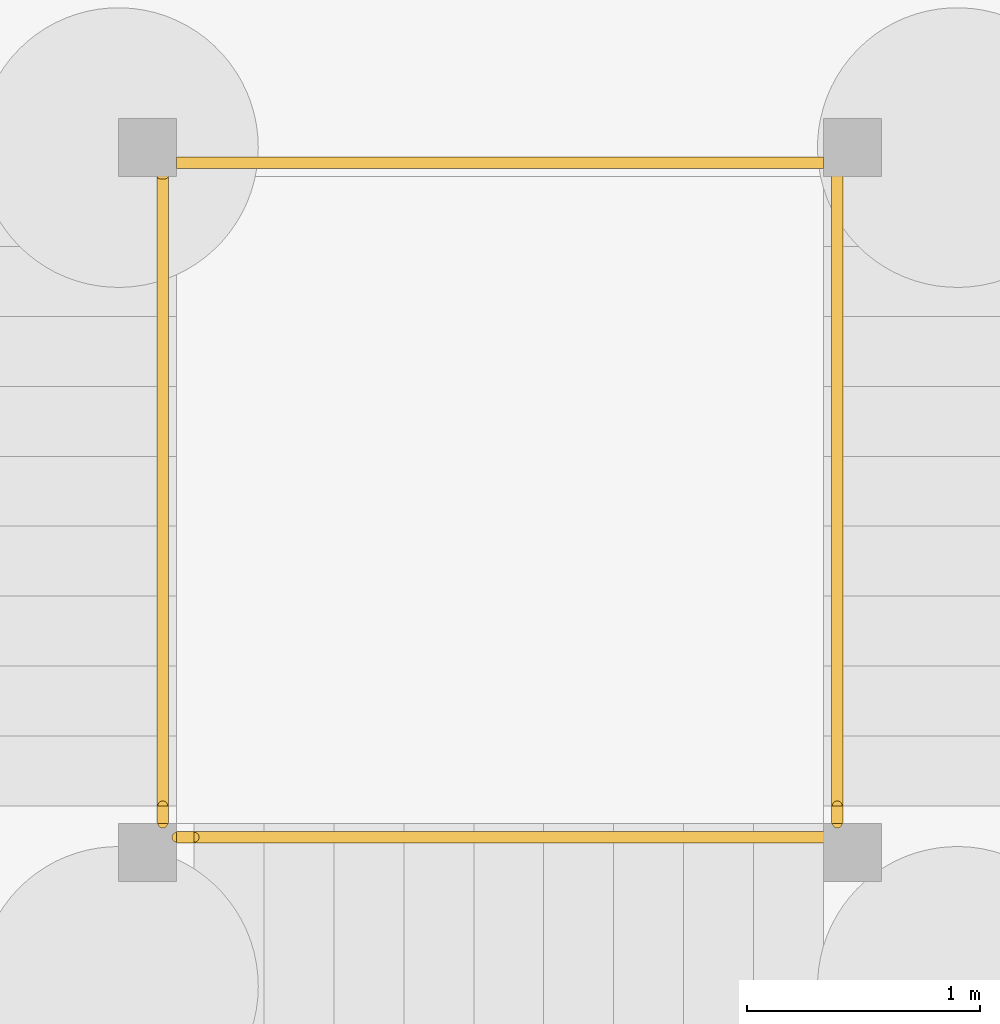
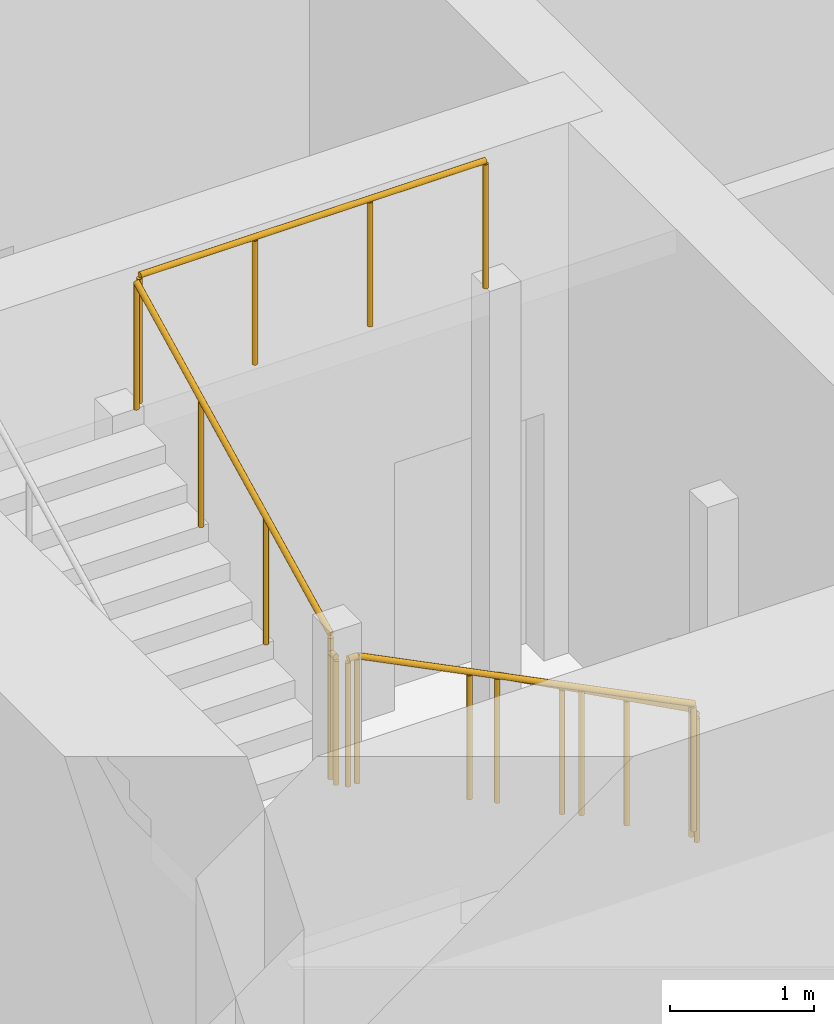
# One storey, part 13 of 28: 7 railings.
"""IFC4 building model written with IfcOpenShell, lengths in metres."""

import ifcopenshell
import ifcopenshell.guid

model = None  # the IFC model being written
_history = None  # IfcOwnerHistory: only IFC2X3 demands one
_inside = {}  # id of a spatial element -> (the spatial element, [elements in it])
_under = {}  # id of a project, library or spatial element -> (it, [spatial elements below it])
_declared = {}  # id of a project -> (the project, [libraries it declares])
_typed = {}  # id of a type object -> (the type object, [elements of that type])
_made_of = {}  # id of a material, layer set ... -> (it, [elements and type objects made of it])


def new_model(schema):
    """Start an empty IFC model of exactly this schema.

    Asked for "IFC4X3", IfcOpenShell would pick the latest addendum, in which some entities
    have other attributes; the version numbers below select the first issue.
    IFC2X3 requires an IfcOwnerHistory on every rooted entity: one is made here for all.
    """
    global model, _history
    if schema == "IFC4X3":
        model = ifcopenshell.file(schema_version=(4, 3, 0, 0))
    else:
        model = ifcopenshell.file(schema=schema)
    _inside.clear()
    _under.clear()
    _declared.clear()
    _typed.clear()
    _made_of.clear()
    _history = None
    if model.schema == "IFC2X3":
        org = make("IfcOrganization", Name="unknown")
        user = make(
            "IfcPersonAndOrganization",
            ThePerson=make("IfcPerson", FamilyName="unknown"),
            TheOrganization=org,
        )
        app = make(
            "IfcApplication",
            ApplicationDeveloper=org,
            Version="unknown",
            ApplicationFullName="unknown",
            ApplicationIdentifier="unknown",
        )
        _history = make(
            "IfcOwnerHistory",
            OwningUser=user,
            OwningApplication=app,
            ChangeAction="ADDED",
            CreationDate=0,
        )
    return model


def make(cls, **values):
    """One entity of the class cls with the attributes given. An attribute that is None is left unset."""
    return model.create_entity(
        cls, **{name: value for name, value in values.items() if value is not None}
    )


def rooted(cls, **values):
    """An entity with a GlobalId (a new one), such as an element, a storey or a relation."""
    return make(cls, GlobalId=ifcopenshell.guid.new(), OwnerHistory=_history, **values)


def si_unit(unit_type, name, prefix=None):
    """IfcSIUnit, for example si_unit("LENGTHUNIT", "METRE", prefix="MILLI")."""
    return make("IfcSIUnit", UnitType=unit_type, Prefix=prefix, Name=name)


def assignment(units):
    """IfcUnitAssignment: the units of a project."""
    return None if units is None else make("IfcUnitAssignment", Units=units)


def point(xyz):
    """IfcCartesianPoint."""
    return None if xyz is None else make("IfcCartesianPoint", Coordinates=xyz)


def direction(xyz):
    """IfcDirection."""
    return None if xyz is None else make("IfcDirection", DirectionRatios=xyz)


def frame(location, z_axis=None, x_axis=None):
    """IfcAxis2Placement3D, a coordinate frame: its origin and axes. An axis left out is left unset."""
    return make(
        "IfcAxis2Placement3D",
        Location=point(location),
        Axis=direction(z_axis),
        RefDirection=direction(x_axis),
    )


def frame_2d(location, x_axis=None):
    """IfcAxis2Placement2D, a coordinate frame in the plane: its origin and x axis."""
    return make(
        "IfcAxis2Placement2D", Location=point(location), RefDirection=direction(x_axis)
    )


def origin():
    """The frame at (0, 0, 0) with its axes left unset."""
    return frame((0.0, 0.0, 0.0))


def origin_2d():
    """The frame at (0, 0) in the plane with its x axis left unset."""
    return frame_2d((0.0, 0.0))


def place(relative_to, where):
    """IfcLocalPlacement: puts the frame where relative to a parent placement (None: the world)."""
    return make(
        "IfcLocalPlacement", PlacementRelTo=relative_to, RelativePlacement=where
    )


def context(
    kind, dimensions, precision=None, world=None, true_north=None, identifier=None
):
    """IfcGeometricRepresentationContext, for example the 3D "Model" context."""
    return make(
        "IfcGeometricRepresentationContext",
        ContextIdentifier=identifier,
        ContextType=kind,
        CoordinateSpaceDimension=dimensions,
        Precision=precision,
        WorldCoordinateSystem=world,
        TrueNorth=true_north,
    )


def subcontext(parent, identifier, kind, view, scale=None):
    """IfcGeometricRepresentationSubContext, for example "Body" below "Model"."""
    return make(
        "IfcGeometricRepresentationSubContext",
        ContextIdentifier=identifier,
        ContextType=kind,
        ParentContext=parent,
        TargetScale=scale,
        TargetView=view,
    )


def project(units=None, contexts=None):
    """IfcProject with its units and contexts."""
    return rooted(
        "IfcProject",
        Name="project",
        RepresentationContexts=contexts,
        UnitsInContext=assignment(units),
    )


def spatial(cls, under=None, at=None, **own):
    """A site, building, storey or space (cls), placed at a placement, below another one or the project."""
    s = rooted(cls, ObjectPlacement=at, **own)
    if under is not None:
        _under.setdefault(under.id(), (under, []))[1].append(s)
    return s


def profile(cls, at=None, kind="AREA", **sizes):
    """A parametric profile (cls). Its sizes go by their IFC names, for example OverallWidth=200.0."""
    return make(cls, ProfileType=kind, Position=at, **sizes)


def circle(**sizes):
    """IfcCircleProfileDef."""
    return profile("IfcCircleProfileDef", **sizes)


def extrude(swept, where, along, depth):
    """IfcExtrudedAreaSolid: the profile swept, set in the frame where, extruded along a direction by depth."""
    return make(
        "IfcExtrudedAreaSolid",
        SweptArea=swept,
        Position=where,
        ExtrudedDirection=direction(along),
        Depth=depth,
    )


def shape(context_of_items, identifier, shape_type, items):
    """IfcShapeRepresentation: the items that make up one representation, for example the "Body"."""
    return make(
        "IfcShapeRepresentation",
        ContextOfItems=context_of_items,
        RepresentationIdentifier=identifier,
        RepresentationType=shape_type,
        Items=items,
    )


def material(Name=None, Category=None):
    """IfcMaterial."""
    return make("IfcMaterial", Name=Name, Category=Category)


def made_of(thing, what):
    """Note that an element or type object is made of a material, layer set ...; save() writes the relation."""
    if what is not None:
        _made_of.setdefault(what.id(), (what, []))[1].append(thing)
    return thing


def type_object(cls, material=None, **own):
    """A type object (cls), such as IfcWallType, which elements share."""
    return made_of(rooted(cls, **own), material)


def element(
    cls,
    number,
    at=None,
    inside=None,
    cuts=None,
    type_object=None,
    material=None,
    context=None,
    identifier="Body",
    shape_type=None,
    held_by="IfcProductDefinitionShape",
    body=None,
    shapes=None,
    **own,
):
    """One element of the class cls, such as IfcWall. Its Tag is "e" and its number.

    at: its placement. inside: the storey or other place that contains it. cuts: it is an
    opening in that element (IfcRelVoidsElement). A single representation is given by context,
    identifier, shape_type and body (its items); several are given by shapes. held_by: the class
    of the entity that holds the representations. save() writes the other relations.
    """
    e = rooted(cls, Tag="e%d" % number, ObjectPlacement=at, **own)
    if body is not None:
        shapes = [shape(context, identifier, shape_type, body)]
    if shapes is not None:
        e.Representation = make(held_by, Representations=shapes)
    if inside is not None:
        _inside.setdefault(inside.id(), (inside, []))[1].append(e)
    if cuts is not None:
        rooted(
            "IfcRelVoidsElement", RelatingBuildingElement=cuts, RelatedOpeningElement=e
        )
    if type_object is not None:
        _typed.setdefault(type_object.id(), (type_object, []))[1].append(e)
    return made_of(e, material)


def aggregate(whole, parts):
    """IfcRelAggregates: a whole, such as a stair, and the parts it consists of."""
    return rooted("IfcRelAggregates", RelatingObject=whole, RelatedObjects=parts)


def save(model, path):
    """Write the relations noted so far, then the file.

    IfcRelAggregates (storeys below a building ...), IfcRelContainedInSpatialStructure (elements
    in a storey), IfcRelDefinesByType, IfcRelAssociatesMaterial and IfcRelDeclares: one each for
    every whole, place, type object, material and project.
    """
    for whole, parts in _under.values():
        aggregate(whole, parts)
    for where, things in _inside.values():
        rooted(
            "IfcRelContainedInSpatialStructure",
            RelatedElements=things,
            RelatingStructure=where,
        )
    for kind, things in _typed.values():
        rooted("IfcRelDefinesByType", RelatedObjects=things, RelatingType=kind)
    for what, things in _made_of.values():
        rooted("IfcRelAssociatesMaterial", RelatedObjects=things, RelatingMaterial=what)
    for by, libraries in _declared.values():
        rooted("IfcRelDeclares", RelatingContext=by, RelatedDefinitions=libraries)
    model.write(path)


model = new_model("IFC4")

# Units and contexts
model_context = context("Model", 3, precision=1e-05, world=origin(), true_north=direction((0.0, 1.0)))
body_context = subcontext(model_context, "Body", "Model", "MODEL_VIEW")
ifc_project = project(units=[si_unit("LENGTHUNIT", "METRE"), si_unit("AREAUNIT", "SQUARE_METRE"), si_unit("VOLUMEUNIT", "CUBIC_METRE"), si_unit("PLANEANGLEUNIT", "RADIAN"), si_unit("MASSUNIT", "GRAM", prefix="KILO")], contexts=[model_context])

# Site, building, storey
site_placement = place(None, origin())
site = spatial("IfcSite", under=ifc_project, at=site_placement, CompositionType="ELEMENT")
building_placement = place(site_placement, origin())
building = spatial("IfcBuilding", under=site, at=building_placement, Name="Rekha Terrace Tower", CompositionType="ELEMENT")
storey_placement = place(building_placement, frame((0.0, 0.0, -9.89990234375)))
storey = spatial("IfcBuildingStorey", under=building, at=storey_placement, Name="B-02", CompositionType="ELEMENT", Elevation=-9.89990234375)

# Railings
ifc_material = material(Name="Stainless steel balustrade", Category="steel")
railing_type = type_object("IfcRailingType", Name="GR1 1100 stair guard", PredefinedType="GUARDRAIL", material=ifc_material)
railing_1_placement = place(storey_placement, frame((30.0849609375, 25.824951171875, 0.14990234375)))
element("IfcRailing", 1, at=railing_1_placement, inside=storey, type_object=railing_type, Name="Guard ST1 B-02 flight 1", PredefinedType="GUARDRAIL", context=body_context, shape_type="SweptSolid", body=[
    extrude(circle(Radius=0.02392578125, at=origin_2d()), frame((0.0, 0.0, 1.076171875), z_axis=(0.0, -0.894411015155, 0.447245945728), x_axis=(1.0, 0.0, 0.0)), (0.0, 0.0, 1.0), 3.018798828125),
    extrude(circle(Radius=0.02099609375, at=origin_2d()), origin(), (0.0, 0.0, 1.0), 1.052001953125),
    extrude(circle(Radius=0.02099609375, at=origin_2d()), frame((0.0, -0.89990234375, 0.449951171875)), (0.0, 0.0, 1.0), 1.052001953125),
    extrude(circle(Radius=0.02099609375, at=origin_2d()), frame((0.0, -1.800048828125, 0.900146484375)), (0.0, 0.0, 1.0), 1.052001953125),
    extrude(circle(Radius=0.02099609375, at=origin_2d()), frame((0.0, -2.699951171875, 1.35009765625)), (0.0, 0.0, 1.0), 1.052001953125),
])
railing_2_placement = place(storey_placement, frame((30.02490234375, 22.989990234375, 1.64990234375)))
element("IfcRailing", 2, at=railing_2_placement, inside=storey, type_object=railing_type, Name="Guard ST1 B-02 flight 2", PredefinedType="GUARDRAIL", context=body_context, shape_type="SweptSolid", body=[
    extrude(circle(Radius=0.02392578125, at=origin_2d()), frame((0.0, 0.0, 1.076171875), z_axis=(-0.894411015155, 0.0, 0.447245945728), x_axis=(0.0, -1.0, 0.0)), (0.0, 0.0, 1.0), 3.018798828125),
    extrude(circle(Radius=0.02099609375, at=origin_2d()), origin(), (0.0, 0.0, 1.0), 1.052001953125),
    extrude(circle(Radius=0.02099609375, at=origin_2d()), frame((-0.89990234375, 0.0, 0.449951171875)), (0.0, 0.0, 1.0), 1.052001953125),
    extrude(circle(Radius=0.02099609375, at=origin_2d()), frame((-1.800048828125, 0.0, 0.900146484375)), (0.0, 0.0, 1.0), 1.052001953125),
    extrude(circle(Radius=0.02099609375, at=origin_2d()), frame((-2.699951171875, 0.0, 1.35009765625)), (0.0, 0.0, 1.0), 1.052001953125),
])
railing_3_placement = place(storey_placement, frame((27.18994140625, 23.125, 3.14990234375)))
element("IfcRailing", 3, at=railing_3_placement, inside=storey, type_object=railing_type, Name="Guard ST1 B-02 flight 3", PredefinedType="GUARDRAIL", context=body_context, shape_type="SweptSolid", body=[
    extrude(circle(Radius=0.02392578125, at=origin_2d()), frame((0.0, 0.0, 1.076171875), z_axis=(0.0, 0.894411015155, 0.447245945728), x_axis=(-1.0, 0.0, 0.0)), (0.0, 0.0, 1.0), 3.018798828125),
    extrude(circle(Radius=0.02099609375, at=origin_2d()), origin(), (0.0, 0.0, 1.0), 1.052001953125),
    extrude(circle(Radius=0.02099609375, at=origin_2d()), frame((0.0, 0.89990234375, 0.449951171875)), (0.0, 0.0, 1.0), 1.052001953125),
    extrude(circle(Radius=0.02099609375, at=origin_2d()), frame((0.0, 1.800048828125, 0.900146484375)), (0.0, 0.0, 1.0), 1.052001953125),
    extrude(circle(Radius=0.02099609375, at=origin_2d()), frame((0.0, 2.699951171875, 1.35009765625)), (0.0, 0.0, 1.0), 1.052001953125),
])
railing_4_placement = place(storey_placement, frame((30.0849609375, 23.125, 1.5)))
element("IfcRailing", 4, at=railing_4_placement, inside=storey, type_object=railing_type, Name="Guard ST1 B-02 landing 1", PredefinedType="GUARDRAIL", context=body_context, shape_type="SweptSolid", body=[
    extrude(circle(Radius=0.02392578125, at=origin_2d()), frame((0.0, 0.0, 1.076171875), z_axis=(0.0, -1.0, 0.0), x_axis=(1.0, 0.0, 0.0)), (0.0, 0.0, 1.0), 0.074951171875),
    extrude(circle(Radius=0.02099609375, at=origin_2d()), origin(), (0.0, 0.0, 1.0), 1.052001953125),
    extrude(circle(Radius=0.02099609375, at=origin_2d()), frame((0.0, -0.074951171875, 0.0)), (0.0, 0.0, 1.0), 1.052001953125),
])
railing_5_placement = place(storey_placement, frame((27.324951171875, 22.989990234375, 3.0)))
element("IfcRailing", 5, at=railing_5_placement, inside=storey, type_object=railing_type, Name="Guard ST1 B-02 landing 2", PredefinedType="GUARDRAIL", context=body_context, shape_type="SweptSolid", body=[
    extrude(circle(Radius=0.02392578125, at=origin_2d()), frame((0.0, 0.0, 1.076171875), z_axis=(-1.0, 0.0, 0.0), x_axis=(0.0, -1.0, 0.0)), (0.0, 0.0, 1.0), 0.074951171875),
    extrude(circle(Radius=0.02099609375, at=origin_2d()), origin(), (0.0, 0.0, 1.0), 1.052001953125),
    extrude(circle(Radius=0.02099609375, at=origin_2d()), frame((-0.074951171875, 0.0, 0.0)), (0.0, 0.0, 1.0), 1.052001953125),
])
railing_6_placement = place(storey_placement, frame((27.18994140625, 23.125, 3.0)))
element("IfcRailing", 6, at=railing_6_placement, inside=storey, type_object=railing_type, Name="Guard ST1 B-02 landing 3", PredefinedType="GUARDRAIL", context=body_context, shape_type="SweptSolid", body=[
    extrude(circle(Radius=0.02392578125, at=origin_2d()), frame((0.0, 0.0, 1.076171875), z_axis=(0.0, -1.0, 0.0), x_axis=(1.0, 0.0, 0.0)), (0.0, 0.0, 1.0), 0.074951171875),
    extrude(circle(Radius=0.02099609375, at=origin_2d()), origin(), (0.0, 0.0, 1.0), 1.052001953125),
    extrude(circle(Radius=0.02099609375, at=origin_2d()), frame((0.0, -0.074951171875, 0.0)), (0.0, 0.0, 1.0), 1.052001953125),
])
railing_7_placement = place(storey_placement, frame((30.02490234375, 25.885009765625, 4.5)))
element("IfcRailing", 7, at=railing_7_placement, inside=storey, type_object=railing_type, Name="Guard ST1 B-02 landing 4", PredefinedType="GUARDRAIL", context=body_context, shape_type="SweptSolid", body=[
    extrude(circle(Radius=0.02392578125, at=origin_2d()), frame((0.0, 0.0, 1.076171875), z_axis=(-1.0, 0.0, 0.0), x_axis=(0.0, -1.0, 0.0)), (0.0, 0.0, 1.0), 2.77490234375),
    extrude(circle(Radius=0.02099609375, at=origin_2d()), origin(), (0.0, 0.0, 1.0), 1.052001953125),
    extrude(circle(Radius=0.02099609375, at=origin_2d()), frame((-0.925048828125, 0.0, 0.0)), (0.0, 0.0, 1.0), 1.052001953125),
    extrude(circle(Radius=0.02099609375, at=origin_2d()), frame((-1.849853515625, 0.0, 0.0)), (0.0, 0.0, 1.0), 1.052001953125),
    extrude(circle(Radius=0.02099609375, at=origin_2d()), frame((-2.77490234375, 0.0, 0.0)), (0.0, 0.0, 1.0), 1.052001953125),
])

save(model, "model.ifc")
